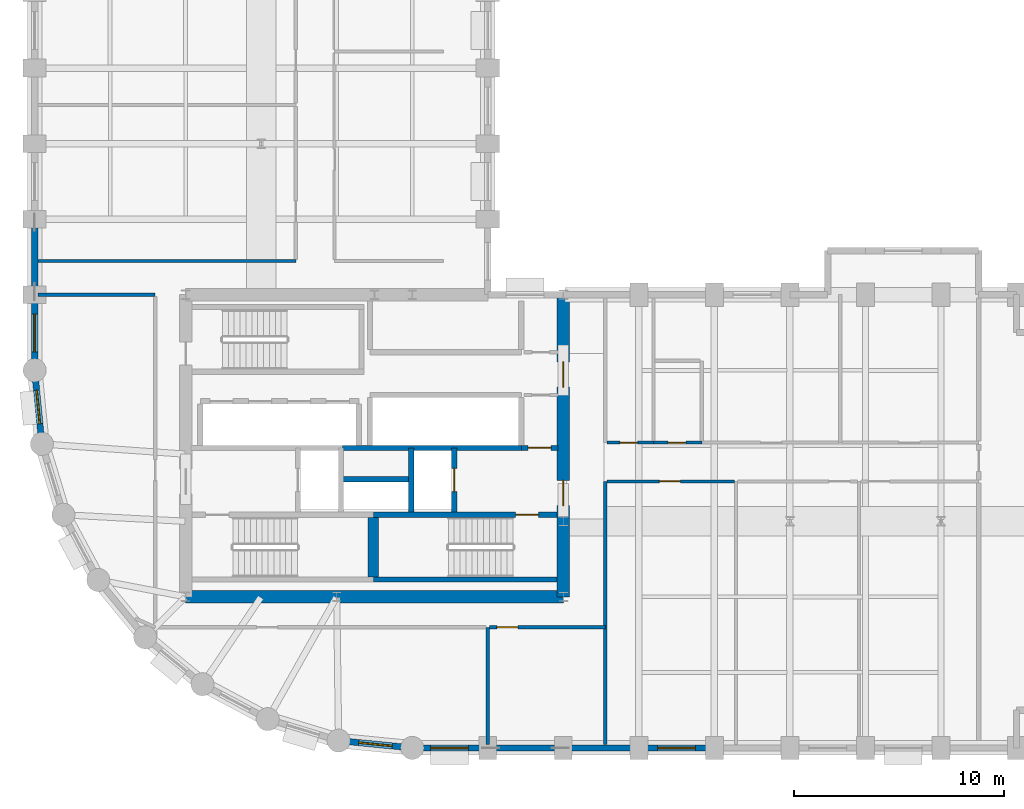
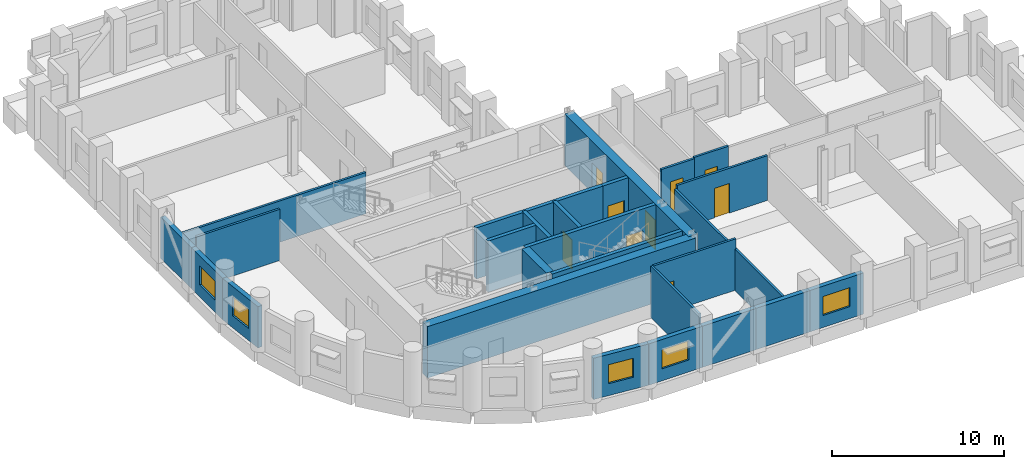
# One storey, part 4 of 9: 26 walls, 9 doors, 5 windows, 14 openings.
"""IFC4 building model written with IfcOpenShell, lengths in metres."""

from ifc_helpers import new_model, si_unit, direction, frame, frame_2d, origin, place, context, subcontext, project, spatial, rectangle, extrude, material, layer, layer_set, type_object, element, fill, save


model = new_model("IFC4")

# Units and contexts
model_context = context("Model", 3, precision=1e-05, world=origin(), true_north=direction((0.0, 1.0)))
body_context = subcontext(model_context, "Body", "Model", "MODEL_VIEW")
ifc_project = project(units=[si_unit("LENGTHUNIT", "METRE"), si_unit("AREAUNIT", "SQUARE_METRE"), si_unit("VOLUMEUNIT", "CUBIC_METRE"), si_unit("PLANEANGLEUNIT", "RADIAN"), si_unit("MASSUNIT", "GRAM", prefix="KILO")], contexts=[model_context])

# Site, building, storey
site_placement = place(None, origin())
site = spatial("IfcSite", under=ifc_project, at=site_placement, CompositionType="ELEMENT")
building_placement = place(site_placement, origin())
building = spatial("IfcBuilding", under=site, at=building_placement, Name="Solnavia Interchange Tower", CompositionType="ELEMENT")
storey_placement = place(building_placement, frame((0.0, 0.0, 80.10009765625)))
storey = spatial("IfcBuildingStorey", under=building, at=storey_placement, Name="L19", CompositionType="ELEMENT", Elevation=80.10009765625)

# Wall, opening, window
ifc_material_1 = material(Name="Concrete C40/50", Category="concrete")
ifc_layer_1 = layer(ifc_material_1, 0.300048828125)
ifc_layer_set_1 = layer_set([ifc_layer_1], Name="Concrete C40/50")
wall_type_1 = type_object("IfcWallType", Name="Wall-ExtSpandrel-300", PredefinedType="STANDARD", material=ifc_layer_set_1)
wall_1_placement = place(storey_placement, frame((28.800048828125, 3.60009765625, 0.0), z_axis=(0.0, 0.0, 1.0), x_axis=(-1.0, 0.0, 0.0)))
wall_1 = element("IfcWall", 1, at=wall_1_placement, inside=storey, type_object=wall_type_1, Name="EXW-L19-01 Exterior precast spandrel wall", PredefinedType="STANDARD", context=body_context, shape_type="SweptSolid", body=[
    extrude(rectangle(XDim=3.60009765625, YDim=0.300048828125, at=frame_2d((1.800048828125, 0.0))), origin(), (0.0, 0.0, 1.0), 2.929931640625),
])
opening_1_placement = place(wall_1_placement, frame((0.925048828125, 0.0, 0.85009765625)))
opening_1 = element("IfcOpeningElement", 2, at=opening_1_placement, cuts=wall_1, Name="Opening WIN-02", PredefinedType="OPENING", context=body_context, shape_type="SweptSolid", body=[
    extrude(rectangle(XDim=1.800048828125, YDim=1.35009765625, at=frame_2d((0.89990234375, 0.675048828125))), frame((0.0, 0.16015625, 0.0), z_axis=(0.0, -1.0, 0.0), x_axis=(1.0, 0.0, 0.0)), (0.0, 0.0, 1.0), 0.320068359375),
])
ifc_material_2 = material(Name="Thermal-Break Aluminium & Low-E Glass", Category="aluminium")
window_type_1 = type_object("IfcWindowType", Name="Window-Ribbon-1800x1350", PartitioningType="SINGLE_PANEL", PredefinedType="WINDOW", material=ifc_material_2)
window_1_placement = place(opening_1_placement, origin())
window_1 = element("IfcWindow", 3, at=window_1_placement, inside=storey, type_object=window_type_1, Name="WIN-L19-01 Facade ribbon window", OverallHeight=1.35009765625, OverallWidth=1.800048828125, PartitioningType="SINGLE_PANEL", PredefinedType="WINDOW", context=body_context, shape_type="SweptSolid", body=[
    extrude(rectangle(XDim=1.800048828125, YDim=1.35009765625, at=frame_2d((0.89990234375, 0.675048828125))), frame((0.0, 0.030029296875, 0.0), z_axis=(0.0, -1.0, 0.0), x_axis=(1.0, 0.0, 0.0)), (0.0, 0.0, 1.0), 0.06005859375),
])
fill(opening_1, window_1)

# Walls
wall_2_placement = place(storey_placement, frame((32.39990234375, 3.60009765625, 0.0), z_axis=(0.0, 0.0, 1.0), x_axis=(-1.0, 0.0, 0.0)))
element("IfcWall", 4, at=wall_2_placement, inside=storey, type_object=wall_type_1, Name="EXW-L19-02 Exterior precast spandrel wall", PredefinedType="STANDARD", context=body_context, shape_type="SweptSolid", body=[
    extrude(rectangle(XDim=3.599853515625, YDim=0.300048828125, at=frame_2d((1.7998046875, 0.0))), origin(), (0.0, 0.0, 1.0), 2.929931640625),
])
wall_3_placement = place(storey_placement, frame((36.0, 3.60009765625, 0.0), z_axis=(0.0, 0.0, 1.0), x_axis=(-1.0, 0.0, 0.0)))
element("IfcWall", 5, at=wall_3_placement, inside=storey, type_object=wall_type_1, Name="EXW-L19-03 Exterior precast spandrel wall", PredefinedType="STANDARD", context=body_context, shape_type="SweptSolid", body=[
    extrude(rectangle(XDim=3.60009765625, YDim=0.300048828125, at=frame_2d((1.800048828125, 0.0))), origin(), (0.0, 0.0, 1.0), 2.929931640625),
])

# Wall, opening, window
wall_4_placement = place(storey_placement, frame((39.60009765625, 3.60009765625, 0.0), z_axis=(0.0, 0.0, 1.0), x_axis=(-1.0, 0.0, 0.0)))
wall_4 = element("IfcWall", 6, at=wall_4_placement, inside=storey, type_object=wall_type_1, Name="EXW-L19-04 Exterior precast spandrel wall", PredefinedType="STANDARD", context=body_context, shape_type="SweptSolid", body=[
    extrude(rectangle(XDim=3.60009765625, YDim=0.300048828125, at=frame_2d((1.800048828125, 0.0))), origin(), (0.0, 0.0, 1.0), 2.929931640625),
])
opening_2_placement = place(wall_4_placement, frame((0.89990234375, 0.0, 0.85009765625)))
opening_2 = element("IfcOpeningElement", 7, at=opening_2_placement, cuts=wall_4, Name="Opening WIN-02", PredefinedType="OPENING", context=body_context, shape_type="SweptSolid", body=[
    extrude(rectangle(XDim=1.800048828125, YDim=1.35009765625, at=frame_2d((0.89990234375, 0.675048828125))), frame((0.0, 0.16015625, 0.0), z_axis=(0.0, -1.0, 0.0), x_axis=(1.0, 0.0, 0.0)), (0.0, 0.0, 1.0), 0.320068359375),
])
window_2_placement = place(opening_2_placement, origin())
window_2 = element("IfcWindow", 8, at=window_2_placement, inside=storey, type_object=window_type_1, Name="WIN-L19-04 Facade ribbon window", OverallHeight=1.35009765625, OverallWidth=1.800048828125, PartitioningType="SINGLE_PANEL", PredefinedType="WINDOW", context=body_context, shape_type="SweptSolid", body=[
    extrude(rectangle(XDim=1.800048828125, YDim=1.35009765625, at=frame_2d((0.89990234375, 0.675048828125))), frame((0.0, 0.030029296875, 0.0), z_axis=(0.0, -1.0, 0.0), x_axis=(1.0, 0.0, 0.0)), (0.0, 0.0, 1.0), 0.06005859375),
])
fill(opening_2, window_2)

# Wall
wall_5_placement = place(storey_placement, frame((7.199951171875, 25.199951171875, 0.0), z_axis=(0.0, 0.0, 1.0), x_axis=(0.0, 1.0, 0.0)))
element("IfcWall", 9, at=wall_5_placement, inside=storey, type_object=wall_type_1, Name="EXW-L19-53 Exterior precast spandrel wall", PredefinedType="STANDARD", context=body_context, shape_type="SweptSolid", body=[
    extrude(rectangle(XDim=3.60009765625, YDim=0.300048828125, at=frame_2d((1.800048828125, 0.0))), origin(), (0.0, 0.0, 1.0), 2.929931640625),
])

# Wall, opening, window
wall_6_placement = place(storey_placement, frame((7.199951171875, 21.60009765625, 0.0), z_axis=(0.0, 0.0, 1.0), x_axis=(0.0, 1.0, 0.0)))
wall_6 = element("IfcWall", 10, at=wall_6_placement, inside=storey, type_object=wall_type_1, Name="EXW-L19-54 Exterior precast spandrel wall", PredefinedType="STANDARD", context=body_context, shape_type="SweptSolid", body=[
    extrude(rectangle(XDim=3.599853515625, YDim=0.300048828125, at=frame_2d((1.7998046875, 0.0))), origin(), (0.0, 0.0, 1.0), 2.929931640625),
])
opening_3_placement = place(wall_6_placement, frame((0.875, 0.0, 0.85009765625)))
opening_3 = element("IfcOpeningElement", 11, at=opening_3_placement, cuts=wall_6, Name="Opening WIN-02", PredefinedType="OPENING", context=body_context, shape_type="SweptSolid", body=[
    extrude(rectangle(XDim=1.800048828125, YDim=1.35009765625, at=frame_2d((0.89990234375, 0.675048828125))), frame((0.0, 0.16015625, 0.0), z_axis=(0.0, -1.0, 0.0), x_axis=(1.0, 0.0, 0.0)), (0.0, 0.0, 1.0), 0.320068359375),
])
window_3_placement = place(opening_3_placement, origin())
window_3 = element("IfcWindow", 12, at=window_3_placement, inside=storey, type_object=window_type_1, Name="WIN-L19-54 Facade ribbon window", OverallHeight=1.35009765625, OverallWidth=1.800048828125, PartitioningType="SINGLE_PANEL", PredefinedType="WINDOW", context=body_context, shape_type="SweptSolid", body=[
    extrude(rectangle(XDim=1.800048828125, YDim=1.35009765625, at=frame_2d((0.89990234375, 0.675048828125))), frame((0.0, 0.030029296875, 0.0), z_axis=(0.0, -1.0, 0.0), x_axis=(1.0, 0.0, 0.0)), (0.0, 0.0, 1.0), 0.06005859375),
])
fill(opening_3, window_3)

wall_7_placement = place(storey_placement, frame((7.5458984375, 18.087890625, 0.0), z_axis=(0.0, 0.0, 1.0), x_axis=(-0.09802417461, 0.995184033831, 0.0)))
wall_7 = element("IfcWall", 13, at=wall_7_placement, inside=storey, type_object=wall_type_1, Name="EXW-L19-55 Exterior precast spandrel wall", PredefinedType="STANDARD", context=body_context, shape_type="SweptSolid", body=[
    extrude(rectangle(XDim=3.529296875, YDim=0.300048828125, at=frame_2d((1.7646484375, 0.0))), origin(), (0.0, 0.0, 1.0), 2.929931640625),
])
opening_4_placement = place(wall_7_placement, frame((0.965087890625, 0.0, 0.85009765625)))
opening_4 = element("IfcOpeningElement", 14, at=opening_4_placement, cuts=wall_7, Name="Opening WIN-04", PredefinedType="OPENING", context=body_context, shape_type="SweptSolid", body=[
    extrude(rectangle(XDim=1.60009765625, YDim=1.35009765625, at=frame_2d((0.800048828125, 0.675048828125))), frame((0.0, 0.16015625, 0.0), z_axis=(0.0, -1.0, 0.0), x_axis=(1.0, 0.0, 0.0)), (0.0, 0.0, 1.0), 0.320068359375),
])
window_type_2 = type_object("IfcWindowType", Name="Window-Drum-1600x1350", PartitioningType="SINGLE_PANEL", PredefinedType="WINDOW", material=ifc_material_2)
window_4_placement = place(opening_4_placement, origin())
window_4 = element("IfcWindow", 15, at=window_4_placement, inside=storey, type_object=window_type_2, Name="WIN-L19-55 Facade ribbon window", OverallHeight=1.35009765625, OverallWidth=1.60009765625, PartitioningType="SINGLE_PANEL", PredefinedType="WINDOW", context=body_context, shape_type="SweptSolid", body=[
    extrude(rectangle(XDim=1.60009765625, YDim=1.35009765625, at=frame_2d((0.800048828125, 0.675048828125))), frame((0.0, 0.030029296875, 0.0), z_axis=(0.0, -1.0, 0.0), x_axis=(1.0, 0.0, 0.0)), (0.0, 0.0, 1.0), 0.06005859375),
])
fill(opening_4, window_4)

wall_8_placement = place(storey_placement, frame((25.199951171875, 3.60009765625, 0.0), z_axis=(0.0, 0.0, 1.0), x_axis=(-0.995183369056, 0.098030923459, 0.0)))
wall_8 = element("IfcWall", 16, at=wall_8_placement, inside=storey, type_object=wall_type_1, Name="EXW-L19-62 Exterior precast spandrel wall", PredefinedType="STANDARD", context=body_context, shape_type="SweptSolid", body=[
    extrude(rectangle(XDim=3.529052734375, YDim=0.300048828125, at=frame_2d((1.7646484375, 0.0))), origin(), (0.0, 0.0, 1.0), 2.929931640625),
])
opening_5_placement = place(wall_8_placement, frame((0.965087890625, 0.0, 0.85009765625)))
opening_5 = element("IfcOpeningElement", 17, at=opening_5_placement, cuts=wall_8, Name="Opening WIN-04", PredefinedType="OPENING", context=body_context, shape_type="SweptSolid", body=[
    extrude(rectangle(XDim=1.60009765625, YDim=1.35009765625, at=frame_2d((0.800048828125, 0.675048828125))), frame((0.0, 0.16015625, 0.0), z_axis=(0.0, -1.0, 0.0), x_axis=(1.0, 0.0, 0.0)), (0.0, 0.0, 1.0), 0.320068359375),
])
window_5_placement = place(opening_5_placement, origin())
window_5 = element("IfcWindow", 18, at=window_5_placement, inside=storey, type_object=window_type_2, Name="WIN-L19-62 Facade ribbon window", OverallHeight=1.35009765625, OverallWidth=1.60009765625, PartitioningType="SINGLE_PANEL", PredefinedType="WINDOW", context=body_context, shape_type="SweptSolid", body=[
    extrude(rectangle(XDim=1.60009765625, YDim=1.35009765625, at=frame_2d((0.800048828125, 0.675048828125))), frame((0.0, 0.030029296875, 0.0), z_axis=(0.0, -1.0, 0.0), x_axis=(1.0, 0.0, 0.0)), (0.0, 0.0, 1.0), 0.06005859375),
])
fill(opening_5, window_5)

# Walls
ifc_material_3 = material(Name="Gypsum Plasterboard & Steel Stud", Category="steel")
ifc_layer_2 = layer(ifc_material_3, 0.14990234375)
ifc_layer_set_2 = layer_set([ifc_layer_2], Name="Gypsum Plasterboard & Steel Stud")
wall_type_2 = type_object("IfcWallType", Name="Wall-Partition-150", PredefinedType="PARTITIONING", material=ifc_layer_set_2)
wall_9_placement = place(storey_placement, frame((7.35400390625, 25.199951171875, 0.0), z_axis=(0.0, 0.0, 1.0), x_axis=(1.0, 0.0, 0.0)))
element("IfcWall", 19, at=wall_9_placement, inside=storey, type_object=wall_type_2, Name="PTW-L19-07 Interior partition wall", PredefinedType="PARTITIONING", context=body_context, shape_type="SweptSolid", body=[
    extrude(rectangle(XDim=5.595947265625, YDim=0.14990234375, at=frame_2d((2.7978515625, 0.0))), origin(), (0.0, 0.0, 1.0), 3.635009765625),
])
wall_10_placement = place(storey_placement, frame((28.800048828125, 9.35009765625, 0.0), z_axis=(0.0, 0.0, 1.0), x_axis=(0.0, -1.0, 0.0)))
element("IfcWall", 20, at=wall_10_placement, inside=storey, type_object=wall_type_2, Name="PTW-L19-08 Interior partition wall", PredefinedType="PARTITIONING", context=body_context, shape_type="SweptSolid", body=[
    extrude(rectangle(XDim=5.59619140625, YDim=0.14990234375, at=frame_2d((2.798095703125, 0.0))), origin(), (0.0, 0.0, 1.0), 3.635009765625),
])

# Wall, opening, door
wall_11_placement = place(storey_placement, frame((28.87890625, 9.35009765625, 0.0), z_axis=(0.0, 0.0, 1.0), x_axis=(1.0, 0.0, 0.0)))
wall_11 = element("IfcWall", 21, at=wall_11_placement, inside=storey, type_object=wall_type_2, Name="PTW-L19-12 Interior partition wall", PredefinedType="PARTITIONING", context=body_context, shape_type="SweptSolid", body=[
    extrude(rectangle(XDim=5.52099609375, YDim=0.14990234375, at=frame_2d((2.760498046875, 0.0))), origin(), (0.0, 0.0, 1.0), 3.635009765625),
])
opening_6_placement = place(wall_11_placement, frame((0.360107421875, 0.0, 0.0)))
opening_6 = element("IfcOpeningElement", 22, at=opening_6_placement, cuts=wall_11, Name="Opening DR-07", PredefinedType="OPENING", context=body_context, shape_type="SweptSolid", body=[
    extrude(rectangle(XDim=1.0, YDim=2.10009765625, at=frame_2d((0.5, 1.050048828125))), frame((0.0, 0.0849609375, 0.0), z_axis=(0.0, -1.0, 0.0), x_axis=(1.0, 0.0, 0.0)), (0.0, 0.0, 1.0), 0.169921875),
])
ifc_material_4 = material(Name="Timber & Acoustic Glazed Office Door", Category="wood")
door_type_1 = type_object("IfcDoorType", Name="Door-Office-1000x2100", OperationType="SINGLE_SWING_RIGHT", PredefinedType="DOOR", material=ifc_material_4)
door_1_placement = place(opening_6_placement, origin())
door_1 = element("IfcDoor", 23, at=door_1_placement, inside=storey, type_object=door_type_1, Name="DR-L19-05 Interior room door", OperationType="SINGLE_SWING_LEFT", OverallHeight=2.10009765625, OverallWidth=1.0, PredefinedType="DOOR", context=body_context, shape_type="SweptSolid", body=[
    extrude(rectangle(XDim=1.0, YDim=2.10009765625, at=frame_2d((0.5, 1.050048828125))), frame((0.0, 0.02490234375, 0.0), z_axis=(0.0, -1.0, 0.0), x_axis=(1.0, 0.0, 0.0)), (0.0, 0.0, 1.0), 0.050048828125),
])
fill(opening_6, door_1)

# Wall
wall_12_placement = place(storey_placement, frame((34.39990234375, 3.75390625, 0.0), z_axis=(0.0, 0.0, 1.0), x_axis=(0.0, 1.0, 0.0)))
element("IfcWall", 24, at=wall_12_placement, inside=storey, type_object=wall_type_2, Name="PTW-L19-13 Interior partition wall", PredefinedType="PARTITIONING", context=body_context, shape_type="SweptSolid", body=[
    extrude(rectangle(XDim=12.546142578125, YDim=0.14990234375, at=frame_2d((6.27294921875, 0.0))), origin(), (0.0, 0.0, 1.0), 2.929931640625),
])

# Wall, opening, door
wall_13_placement = place(storey_placement, frame((34.47900390625, 16.300048828125, 0.0), z_axis=(0.0, 0.0, 1.0), x_axis=(1.0, 0.0, 0.0)))
wall_13 = element("IfcWall", 25, at=wall_13_placement, inside=storey, type_object=wall_type_2, Name="PTW-L19-15 Interior partition wall", PredefinedType="PARTITIONING", context=body_context, shape_type="SweptSolid", body=[
    extrude(rectangle(XDim=6.072021484375, YDim=0.14990234375, at=frame_2d((3.0361328125, 0.0))), origin(), (0.0, 0.0, 1.0), 3.179931640625),
])
opening_7_placement = place(wall_13_placement, frame((2.49609375, 0.0, 0.0)))
opening_7 = element("IfcOpeningElement", 26, at=opening_7_placement, cuts=wall_13, Name="Opening DR-07", PredefinedType="OPENING", context=body_context, shape_type="SweptSolid", body=[
    extrude(rectangle(XDim=1.0, YDim=2.10009765625, at=frame_2d((0.5, 1.050048828125))), frame((0.0, 0.0849609375, 0.0), z_axis=(0.0, -1.0, 0.0), x_axis=(1.0, 0.0, 0.0)), (0.0, 0.0, 1.0), 0.169921875),
])
door_2_placement = place(opening_7_placement, origin())
door_2 = element("IfcDoor", 27, at=door_2_placement, inside=storey, type_object=door_type_1, Name="DR-L19-06 Interior room door", OperationType="SINGLE_SWING_LEFT", OverallHeight=2.10009765625, OverallWidth=1.0, PredefinedType="DOOR", context=body_context, shape_type="SweptSolid", body=[
    extrude(rectangle(XDim=1.0, YDim=2.10009765625, at=frame_2d((0.5, 1.050048828125))), frame((0.0, 0.02490234375, 0.0), z_axis=(0.0, -1.0, 0.0), x_axis=(1.0, 0.0, 0.0)), (0.0, 0.0, 1.0), 0.050048828125),
])
fill(opening_7, door_2)

# Walls
wall_14_placement = place(storey_placement, frame((7.35400390625, 26.800048828125, 0.0), z_axis=(0.0, 0.0, 1.0), x_axis=(1.0, 0.0, 0.0)))
element("IfcWall", 28, at=wall_14_placement, inside=storey, type_object=wall_type_2, Name="PTW-L19-25 Interior partition wall", PredefinedType="PARTITIONING", context=body_context, shape_type="SweptSolid", body=[
    extrude(rectangle(XDim=12.2958984375, YDim=0.14990234375, at=frame_2d((6.14794921875, 0.0))), origin(), (0.0, 0.0, 1.0), 2.929931640625),
])
ifc_layer_3 = layer(ifc_material_1, 0.25)
ifc_layer_set_3 = layer_set([ifc_layer_3], Name="Concrete C40/50")
wall_type_3 = type_object("IfcWallType", Name="Wall-ShaftCore-250", PredefinedType="SHEAR", material=ifc_layer_set_3)
wall_15_placement = place(storey_placement, frame((23.35009765625, 11.625, 0.0), z_axis=(0.0, 0.0, 1.0), x_axis=(1.0, 0.0, 0.0)))
element("IfcWall", 29, at=wall_15_placement, inside=storey, type_object=wall_type_3, Name="SHW-L19-ST2S Core shear wall", PredefinedType="SHEAR", context=body_context, shape_type="SweptSolid", body=[
    extrude(rectangle(XDim=8.75, YDim=0.25, at=frame_2d((4.375, 0.0))), origin(), (0.0, 0.0, 1.0), 3.64990234375),
])

# Wall, opening, door
wall_16_placement = place(storey_placement, frame((23.35009765625, 14.715087890625, 0.0), z_axis=(0.0, 0.0, 1.0), x_axis=(1.0, 0.0, 0.0)))
wall_16 = element("IfcWall", 30, at=wall_16_placement, inside=storey, type_object=wall_type_3, Name="SHW-L19-ST2N Core shear wall", PredefinedType="SHEAR", context=body_context, shape_type="SweptSolid", body=[
    extrude(rectangle(XDim=8.75, YDim=0.25, at=frame_2d((4.375, 0.0))), origin(), (0.0, 0.0, 1.0), 3.64990234375),
])
opening_8_placement = place(wall_16_placement, frame((6.77490234375, 0.0, 0.0)))
opening_8 = element("IfcOpeningElement", 31, at=opening_8_placement, cuts=wall_16, Name="Opening DR-01", PredefinedType="OPENING", context=body_context, shape_type="SweptSolid", body=[
    extrude(rectangle(XDim=1.10009765625, YDim=2.10009765625, at=frame_2d((0.550048828125, 1.050048828125))), frame((0.0, 0.135009765625, 0.0), z_axis=(0.0, -1.0, 0.0), x_axis=(1.0, 0.0, 0.0)), (0.0, 0.0, 1.0), 0.27001953125),
])
ifc_material_5 = material(Name="Steel Fire-Rated Leaf & Frame", Category="steel")
door_type_2 = type_object("IfcDoorType", Name="Door-StairFire-1100x2100", OperationType="SINGLE_SWING_LEFT", PredefinedType="DOOR", material=ifc_material_5)
door_3_placement = place(opening_8_placement, origin())
door_3 = element("IfcDoor", 32, at=door_3_placement, inside=storey, type_object=door_type_2, Name="DR-L19-ST2 Core fire door", OperationType="SINGLE_SWING_LEFT", OverallHeight=2.10009765625, OverallWidth=1.10009765625, PredefinedType="DOOR", context=body_context, shape_type="SweptSolid", body=[
    extrude(rectangle(XDim=1.10009765625, YDim=2.10009765625, at=frame_2d((0.550048828125, 1.050048828125))), frame((0.0, 0.02490234375, 0.0), z_axis=(0.0, -1.0, 0.0), x_axis=(1.0, 0.0, 0.0)), (0.0, 0.0, 1.0), 0.050048828125),
])
fill(opening_8, door_3)

# Wall
ifc_layer_4 = layer(ifc_material_1, 0.25)
ifc_layer_set_4 = layer_set([ifc_layer_4], Name="Concrete C40/50")
wall_type_4 = type_object("IfcWallType", Name="Wall-ShaftPart-250", PredefinedType="PARTITIONING", material=ifc_layer_set_4)
wall_17_placement = place(storey_placement, frame((21.8798828125, 17.89990234375, 0.0), z_axis=(0.0, 0.0, 1.0), x_axis=(1.0, 0.0, 0.0)))
element("IfcWall", 33, at=wall_17_placement, inside=storey, type_object=wall_type_4, Name="SHW-L19-FFLE-N1 Core shaft wall", PredefinedType="PARTITIONING", context=body_context, shape_type="SweptSolid", body=[
    extrude(rectangle(XDim=8.52001953125, YDim=0.25, at=frame_2d((4.260009765625, 0.0))), origin(), (0.0, 0.0, 1.0), 3.635009765625),
])

# Wall, opening, door
wall_18_placement = place(storey_placement, frame((30.39990234375, 17.89990234375, 0.0), z_axis=(0.0, 0.0, 1.0), x_axis=(1.0, 0.0, 0.0)))
wall_18 = element("IfcWall", 34, at=wall_18_placement, inside=storey, type_object=wall_type_4, Name="SHW-L19-FFLE-N2 Core shaft wall", PredefinedType="PARTITIONING", context=body_context, shape_type="SweptSolid", body=[
    extrude(rectangle(XDim=1.75, YDim=0.25, at=frame_2d((0.875, 0.0))), origin(), (0.0, 0.0, 1.0), 3.635009765625),
])
opening_9_placement = place(wall_18_placement, frame((0.320068359375, 0.0, 0.0)))
opening_9 = element("IfcOpeningElement", 35, at=opening_9_placement, cuts=wall_18, Name="Opening DR-01", PredefinedType="OPENING", context=body_context, shape_type="SweptSolid", body=[
    extrude(rectangle(XDim=1.10009765625, YDim=2.10009765625, at=frame_2d((0.550048828125, 1.050048828125))), frame((0.0, 0.135009765625, 0.0), z_axis=(0.0, -1.0, 0.0), x_axis=(1.0, 0.0, 0.0)), (0.0, 0.0, 1.0), 0.27001953125),
])
door_4_placement = place(opening_9_placement, origin())
door_4 = element("IfcDoor", 36, at=door_4_placement, inside=storey, type_object=door_type_2, Name="DR-L19-LLC Core fire door", OperationType="SINGLE_SWING_LEFT", OverallHeight=2.10009765625, OverallWidth=1.10009765625, PredefinedType="DOOR", context=body_context, shape_type="SweptSolid", body=[
    extrude(rectangle(XDim=1.10009765625, YDim=2.10009765625, at=frame_2d((0.550048828125, 1.050048828125))), frame((0.0, 0.02490234375, 0.0), z_axis=(0.0, -1.0, 0.0), x_axis=(1.0, 0.0, 0.0)), (0.0, 0.0, 1.0), 0.050048828125),
])
fill(opening_9, door_4)

# Wall
wall_19_placement = place(storey_placement, frame((25.14990234375, 14.840087890625, 0.0), z_axis=(0.0, 0.0, 1.0), x_axis=(0.0, 1.0, 0.0)))
element("IfcWall", 37, at=wall_19_placement, inside=storey, type_object=wall_type_4, Name="SHW-L19-FFL2-W Core shaft wall", PredefinedType="PARTITIONING", context=body_context, shape_type="SweptSolid", body=[
    extrude(rectangle(XDim=3.059814453125, YDim=0.25, at=frame_2d((1.52978515625, 0.0))), origin(), (0.0, 0.0, 1.0), 3.635009765625),
])

# Wall, opening, door
wall_20_placement = place(storey_placement, frame((27.199951171875, 14.840087890625, 0.0), z_axis=(0.0, 0.0, 1.0), x_axis=(0.0, 1.0, 0.0)))
wall_20 = element("IfcWall", 38, at=wall_20_placement, inside=storey, type_object=wall_type_4, Name="SHW-L19-FFL2-E Core shaft wall", PredefinedType="PARTITIONING", context=body_context, shape_type="SweptSolid", body=[
    extrude(rectangle(XDim=3.059814453125, YDim=0.25, at=frame_2d((1.52978515625, 0.0))), origin(), (0.0, 0.0, 1.0), 3.635009765625),
])
opening_10_placement = place(wall_20_placement, frame((0.97998046875, 0.0, 0.0)))
opening_10 = element("IfcOpeningElement", 39, at=opening_10_placement, cuts=wall_20, Name="Opening LD-01", PredefinedType="OPENING", context=body_context, shape_type="SweptSolid", body=[
    extrude(rectangle(XDim=1.10009765625, YDim=2.10009765625, at=frame_2d((0.550048828125, 1.050048828125))), frame((0.0, 0.135009765625, 0.0), z_axis=(0.0, -1.0, 0.0), x_axis=(1.0, 0.0, 0.0)), (0.0, 0.0, 1.0), 0.27001953125),
])
ifc_material_6 = material(Name="Brushed Stainless Steel Sliding Door", Category="steel")
door_type_3 = type_object("IfcDoorType", Name="Door-LiftLanding-1100x2100", OperationType="SLIDING_TO_LEFT", PredefinedType="DOOR", material=ifc_material_6)
door_5_placement = place(opening_10_placement, origin())
door_5 = element("IfcDoor", 40, at=door_5_placement, inside=storey, type_object=door_type_3, Name="LD-L19-FFL2 Lift landing sliding door", OperationType="SLIDING_TO_LEFT", OverallHeight=2.10009765625, OverallWidth=1.10009765625, PredefinedType="DOOR", context=body_context, shape_type="SweptSolid", body=[
    extrude(rectangle(XDim=1.10009765625, YDim=2.10009765625, at=frame_2d((0.550048828125, 1.050048828125))), frame((0.0, 0.02490234375, 0.0), z_axis=(0.0, -1.0, 0.0), x_axis=(1.0, 0.0, 0.0)), (0.0, 0.0, 1.0), 0.050048828125),
])
fill(opening_10, door_5)

# Walls
wall_21_placement = place(storey_placement, frame((21.800048828125, 16.39990234375, 0.0), z_axis=(0.0, 0.0, 1.0), x_axis=(1.0, 0.0, 0.0)))
element("IfcWall", 41, at=wall_21_placement, inside=storey, type_object=wall_type_4, Name="SHW-L19-MEP-N Core shaft wall", PredefinedType="PARTITIONING", context=body_context, shape_type="SweptSolid", body=[
    extrude(rectangle(XDim=3.349853515625, YDim=0.25, at=frame_2d((1.6748046875, 0.0))), origin(), (0.0, 0.0, 1.0), 3.635009765625),
])
ifc_material_7 = material(Name="Concrete C60/75", Category="concrete")
ifc_layer_5 = layer(ifc_material_7, 0.5)
ifc_layer_set_5 = layer_set([ifc_layer_5], Name="Concrete C60/75")
wall_type_5 = type_object("IfcWallType", Name="Wall-ShearCore-500", PredefinedType="SHEAR", material=ifc_layer_set_5)
wall_22_placement = place(storey_placement, frame((23.35009765625, 11.75, 0.0), z_axis=(0.0, 0.0, 1.0), x_axis=(0.0, 1.0, 0.0)))
element("IfcWall", 42, at=wall_22_placement, inside=storey, type_object=wall_type_5, Name="SHW-L19-ST12M Core shear wall", PredefinedType="SHEAR", context=body_context, shape_type="SweptSolid", body=[
    extrude(rectangle(XDim=2.840087890625, YDim=0.5, at=frame_2d((1.419921875, 0.0))), origin(), (0.0, 0.0, 1.0), 3.64990234375),
])
ifc_layer_6 = layer(ifc_material_7, 0.60009765625)
ifc_layer_set_6 = layer_set([ifc_layer_6], Name="Concrete C60/75")
wall_type_6 = type_object("IfcWallType", Name="Wall-ShearCore-600", PredefinedType="SHEAR", material=ifc_layer_set_6)
wall_23_placement = place(storey_placement, frame((14.39990234375, 10.800048828125, 0.0), z_axis=(0.0, 0.0, 1.0), x_axis=(1.0, 0.0, 0.0)))
element("IfcWall", 43, at=wall_23_placement, inside=storey, type_object=wall_type_6, Name="CRW-L19-S Core shear wall", PredefinedType="SHEAR", context=body_context, shape_type="SweptSolid", body=[
    extrude(rectangle(XDim=18.0, YDim=0.60009765625, at=frame_2d((9.0, 0.0))), origin(), (0.0, 0.0, 1.0), 3.64990234375),
])

# Wall, openings, doors
wall_24_placement = place(storey_placement, frame((32.39990234375, 10.800048828125, 0.0), z_axis=(0.0, 0.0, 1.0), x_axis=(0.0, 1.0, 0.0)))
wall_24 = element("IfcWall", 44, at=wall_24_placement, inside=storey, type_object=wall_type_6, Name="CRW-L19-E Core shear wall", PredefinedType="SHEAR", context=body_context, shape_type="SweptSolid", body=[
    extrude(rectangle(XDim=14.39990234375, YDim=0.60009765625, at=frame_2d((7.199951171875, 0.0))), origin(), (0.0, 0.0, 1.0), 3.64990234375),
])
opening_11_placement = place(wall_24_placement, frame((4.35009765625, 0.0, 0.0)))
opening_11 = element("IfcOpeningElement", 45, at=opening_11_placement, cuts=wall_24, Name="Opening DR-02", PredefinedType="OPENING", context=body_context, shape_type="SweptSolid", body=[
    extrude(rectangle(XDim=1.199951171875, YDim=2.10009765625, at=frame_2d((0.60009765625, 1.050048828125))), frame((0.0, 0.31005859375, 0.0), z_axis=(0.0, -1.0, 0.0), x_axis=(1.0, 0.0, 0.0)), (0.0, 0.0, 1.0), 0.6201171875),
])
opening_12_placement = place(wall_24_placement, frame((10.0, 0.0, 0.0)))
opening_12 = element("IfcOpeningElement", 46, at=opening_12_placement, cuts=wall_24, Name="Opening DR-02", PredefinedType="OPENING", context=body_context, shape_type="SweptSolid", body=[
    extrude(rectangle(XDim=1.199951171875, YDim=2.10009765625, at=frame_2d((0.60009765625, 1.050048828125))), frame((0.0, 0.31005859375, 0.0), z_axis=(0.0, -1.0, 0.0), x_axis=(1.0, 0.0, 0.0)), (0.0, 0.0, 1.0), 0.6201171875),
])
ifc_material_8 = material(Name="Steel Fire-Rated Vision-Panel Door", Category="steel")
door_type_4 = type_object("IfcDoorType", Name="Door-LobbyFire-1200x2100", OperationType="SINGLE_SWING_RIGHT", PredefinedType="DOOR", material=ifc_material_8)
door_6_placement = place(opening_11_placement, origin())
door_6 = element("IfcDoor", 47, at=door_6_placement, inside=storey, type_object=door_type_4, Name="DR-L19-FFL2E Core fire door", OperationType="SINGLE_SWING_LEFT", OverallHeight=2.10009765625, OverallWidth=1.199951171875, PredefinedType="DOOR", context=body_context, shape_type="SweptSolid", body=[
    extrude(rectangle(XDim=1.199951171875, YDim=2.10009765625, at=frame_2d((0.60009765625, 1.050048828125))), frame((0.0, 0.02490234375, 0.0), z_axis=(0.0, -1.0, 0.0), x_axis=(1.0, 0.0, 0.0)), (0.0, 0.0, 1.0), 0.050048828125),
])
fill(opening_11, door_6)
door_7_placement = place(opening_12_placement, origin())
door_7 = element("IfcDoor", 48, at=door_7_placement, inside=storey, type_object=door_type_4, Name="DR-L19-LLE Core fire door", OperationType="SINGLE_SWING_RIGHT", OverallHeight=2.10009765625, OverallWidth=1.199951171875, PredefinedType="DOOR", context=body_context, shape_type="SweptSolid", body=[
    extrude(rectangle(XDim=1.199951171875, YDim=2.10009765625, at=frame_2d((0.60009765625, 1.050048828125))), frame((0.0, 0.02490234375, 0.0), z_axis=(0.0, -1.0, 0.0), x_axis=(1.0, 0.0, 0.0)), (0.0, 0.0, 1.0), 0.050048828125),
])
fill(opening_12, door_7)

# Wall, opening, door
ifc_material_9 = material(Name="Moisture-Resistant Gypsum & Steel Stud", Category="steel")
ifc_layer_7 = layer(ifc_material_9, 0.14990234375)
ifc_layer_set_7 = layer_set([ifc_layer_7], Name="Moisture-Resistant Gypsum & Steel Stud")
wall_type_7 = type_object("IfcWallType", Name="Wall-WetRoom-150", PredefinedType="PARTITIONING", material=ifc_layer_set_7)
wall_25_placement = place(storey_placement, frame((34.47900390625, 18.14990234375, 0.0), z_axis=(0.0, 0.0, 1.0), x_axis=(1.0, 0.0, 0.0)))
wall_25 = element("IfcWall", 49, at=wall_25_placement, inside=storey, type_object=wall_type_7, Name="PTW-L19-02 Interior partition wall", PredefinedType="PARTITIONING", context=body_context, shape_type="SweptSolid", body=[
    extrude(rectangle(XDim=2.220947265625, YDim=0.14990234375, at=frame_2d((1.1103515625, 0.0))), origin(), (0.0, 0.0, 1.0), 3.179931640625),
])
opening_13_placement = place(wall_25_placement, frame((0.617919921875, 0.0, 0.0)))
opening_13 = element("IfcOpeningElement", 50, at=opening_13_placement, cuts=wall_25, Name="Opening DR-10", PredefinedType="OPENING", context=body_context, shape_type="SweptSolid", body=[
    extrude(rectangle(XDim=0.85009765625, YDim=2.10009765625, at=frame_2d((0.425048828125, 1.050048828125))), frame((0.0, 0.0849609375, 0.0), z_axis=(0.0, -1.0, 0.0), x_axis=(1.0, 0.0, 0.0)), (0.0, 0.0, 1.0), 0.169921875),
])
ifc_material_10 = material(Name="Moisture-Resistant Timber Door", Category="wood")
door_type_5 = type_object("IfcDoorType", Name="Door-Bathroom-850x2100", OperationType="SINGLE_SWING_RIGHT", PredefinedType="DOOR", material=ifc_material_10)
door_8_placement = place(opening_13_placement, origin())
door_8 = element("IfcDoor", 51, at=door_8_placement, inside=storey, type_object=door_type_5, Name="DR-L19-01 Interior room door", OperationType="SINGLE_SWING_LEFT", OverallHeight=2.10009765625, OverallWidth=0.85009765625, PredefinedType="DOOR", context=body_context, shape_type="SweptSolid", body=[
    extrude(rectangle(XDim=0.85009765625, YDim=2.10009765625, at=frame_2d((0.425048828125, 1.050048828125))), frame((0.0, 0.02490234375, 0.0), z_axis=(0.0, -1.0, 0.0), x_axis=(1.0, 0.0, 0.0)), (0.0, 0.0, 1.0), 0.050048828125),
])
fill(opening_13, door_8)

wall_26_placement = place(storey_placement, frame((36.699951171875, 18.14990234375, 0.0), z_axis=(0.0, 0.0, 1.0), x_axis=(1.0, 0.0, 0.0)))
wall_26 = element("IfcWall", 52, at=wall_26_placement, inside=storey, type_object=wall_type_7, Name="PTW-L19-04 Interior partition wall", PredefinedType="PARTITIONING", context=body_context, shape_type="SweptSolid", body=[
    extrude(rectangle(XDim=2.300048828125, YDim=0.14990234375, at=frame_2d((1.14990234375, 0.0))), origin(), (0.0, 0.0, 1.0), 3.27001953125),
])
opening_14_placement = place(wall_26_placement, frame((0.697021484375, 0.0, 0.0)))
opening_14 = element("IfcOpeningElement", 53, at=opening_14_placement, cuts=wall_26, Name="Opening DR-10", PredefinedType="OPENING", context=body_context, shape_type="SweptSolid", body=[
    extrude(rectangle(XDim=0.85009765625, YDim=2.10009765625, at=frame_2d((0.425048828125, 1.050048828125))), frame((0.0, 0.0849609375, 0.0), z_axis=(0.0, -1.0, 0.0), x_axis=(1.0, 0.0, 0.0)), (0.0, 0.0, 1.0), 0.169921875),
])
door_9_placement = place(opening_14_placement, origin())
door_9 = element("IfcDoor", 54, at=door_9_placement, inside=storey, type_object=door_type_5, Name="DR-L19-02 Interior room door", OperationType="SINGLE_SWING_RIGHT", OverallHeight=2.10009765625, OverallWidth=0.85009765625, PredefinedType="DOOR", context=body_context, shape_type="SweptSolid", body=[
    extrude(rectangle(XDim=0.85009765625, YDim=2.10009765625, at=frame_2d((0.425048828125, 1.050048828125))), frame((0.0, 0.02490234375, 0.0), z_axis=(0.0, -1.0, 0.0), x_axis=(1.0, 0.0, 0.0)), (0.0, 0.0, 1.0), 0.050048828125),
])
fill(opening_14, door_9)

save(model, "model.ifc")
